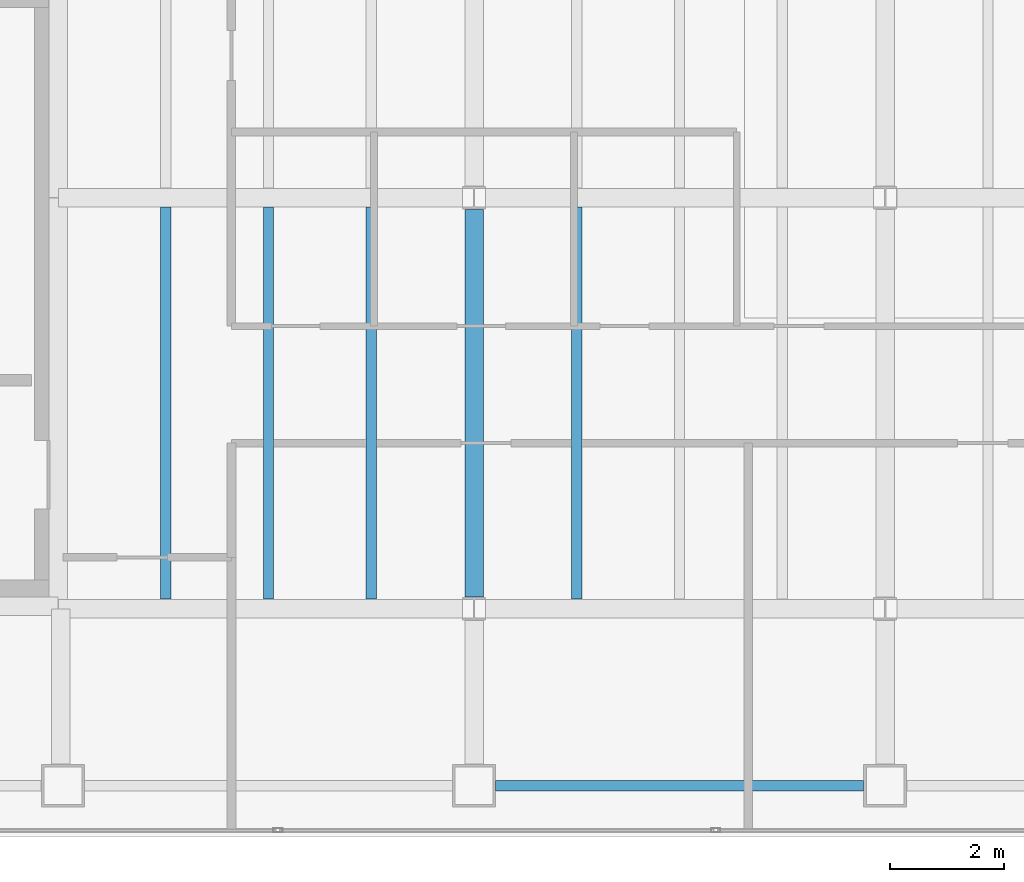
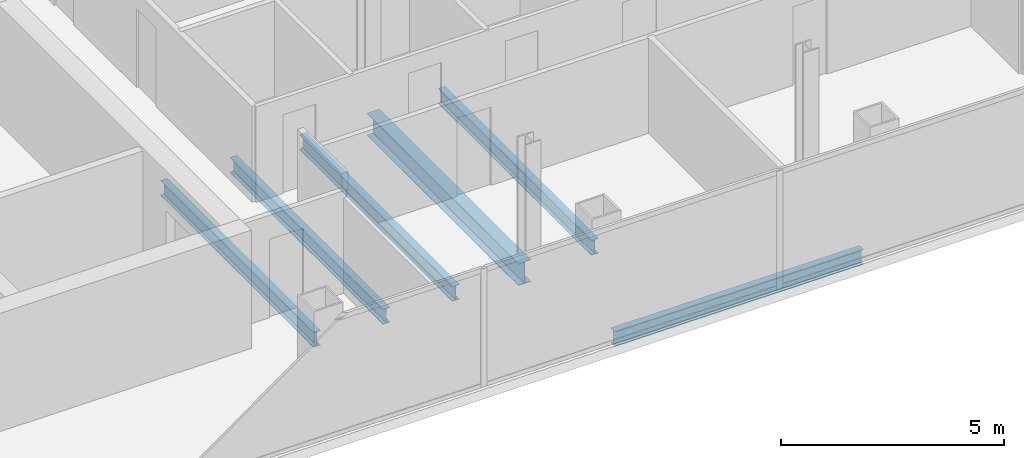
# One storey, part 5 of 23: 6 beams.
"""IFC4 building model written with IfcOpenShell, lengths in metres."""

from ifc_helpers import new_model, si_unit, direction, frame, origin, origin_2d, place, context, subcontext, project, spatial, i_section, extrude, material, material_profile, profile_set, type_object, element, save


model = new_model("IFC4")

# Units and contexts
model_context = context("Model", 3, precision=1e-05, world=origin(), true_north=direction((0.0, 1.0)))
body_context = subcontext(model_context, "Body", "Model", "MODEL_VIEW")
ifc_project = project(units=[si_unit("LENGTHUNIT", "METRE"), si_unit("AREAUNIT", "SQUARE_METRE"), si_unit("VOLUMEUNIT", "CUBIC_METRE"), si_unit("PLANEANGLEUNIT", "RADIAN"), si_unit("MASSUNIT", "GRAM", prefix="KILO")], contexts=[model_context])

# Site, building, storey
site_placement = place(None, origin())
site = spatial("IfcSite", under=ifc_project, at=site_placement, CompositionType="ELEMENT")
building_placement = place(site_placement, origin())
building = spatial("IfcBuilding", under=site, at=building_placement, Name="Cobrela Telecom Tower", CompositionType="ELEMENT")
storey_placement = place(building_placement, frame((0.0, 0.0, 225.75)))
storey = spatial("IfcBuildingStorey", under=building, at=storey_placement, Name="L58", CompositionType="ELEMENT", Elevation=225.75)

# Beams
ifc_material = material(Name="Steel ASTM A992 Grade 50", Category="steel")
ifc_material_profile_1 = material_profile(ifc_material, i_section(OverallWidth=0.324951171875, OverallDepth=0.612060546875, WebThickness=0.0126953125, FlangeThickness=0.01904296875, FilletRadius=0.014892578125, at=origin_2d()), Name="W24X104")
ifc_profile_set_1 = profile_set([ifc_material_profile_1], Name="Steel ASTM A992 Grade 50")
beam_type_1 = type_object("IfcBeamType", Name="BM-GIRD-07", PredefinedType="USERDEFINED", material=ifc_profile_set_1)
beam_1_placement = place(storey_placement, frame((21.60009765625, 7.404541015625, -0.56591796875), z_axis=(0.0, 1.0, 0.0), x_axis=(-1.0, 0.0, 0.0)))
element("IfcBeam", 1, at=beam_1_placement, inside=storey, type_object=beam_type_1, Name="L58 Primary Girder Y33", ObjectType="GIRDER", PredefinedType="USERDEFINED", context=body_context, shape_type="SweptSolid", body=[
    extrude(i_section(OverallWidth=0.324951171875, OverallDepth=0.612060546875, WebThickness=0.0126953125, FlangeThickness=0.01904296875, FilletRadius=0.014892578125, at=origin_2d()), origin(), (0.0, 0.0, 1.0), 6.791015625),
])
ifc_material_profile_2 = material_profile(ifc_material, i_section(OverallWidth=0.179931640625, OverallDepth=0.4169921875, WebThickness=0.010986328125, FlangeThickness=0.01806640625, FilletRadius=0.011962890625, at=origin_2d()), Name="W16X57")
ifc_profile_set_2 = profile_set([ifc_material_profile_2], Name="Steel ASTM A992 Grade 50")
beam_type_2 = type_object("IfcBeamType", Name="BM-JOIST-04", PredefinedType="JOIST", material=ifc_profile_set_2)
for number, where, z_axis, x_axis, name in (
    (2, (16.199951171875, 7.367431640625, -0.468505859375), (0.0, 1.0, 0.0), (-1.0, 0.0, 0.0), "L58 Secondary Composite Floor Beam J01"),
    (3, (18.0, 7.367431640625, -0.468505859375), (0.0, 1.0, 0.0), (-1.0, 0.0, 0.0), "L58 Secondary Composite Floor Beam J05"),
    (4, (19.800048828125, 7.367431640625, -0.468505859375), (0.0, 1.0, 0.0), (-1.0, 0.0, 0.0), "L58 Secondary Composite Floor Beam J09"),
    (5, (23.39990234375, 7.367431640625, -0.468505859375), (0.0, 1.0, 0.0), (-1.0, 0.0, 0.0), "L58 Secondary Composite Floor Beam J13"),
):
    element("IfcBeam", number, at=place(storey_placement, frame(where, z_axis=z_axis, x_axis=x_axis)), inside=storey, type_object=beam_type_2, Name=name, PredefinedType="JOIST", context=body_context, shape_type="SweptSolid", body=[
        extrude(i_section(OverallWidth=0.179931640625, OverallDepth=0.4169921875, WebThickness=0.010986328125, FlangeThickness=0.01806640625, FilletRadius=0.011962890625, at=origin_2d()), origin(), (0.0, 0.0, 1.0), 6.864990234375),
    ])
ifc_material_profile_3 = material_profile(ifc_material, i_section(OverallWidth=0.179931640625, OverallDepth=0.4169921875, WebThickness=0.010986328125, FlangeThickness=0.01806640625, FilletRadius=0.011962890625, at=origin_2d()), Name="W16X57")
ifc_profile_set_3 = profile_set([ifc_material_profile_3], Name="Steel ASTM A992 Grade 50")
beam_type_3 = type_object("IfcBeamType", Name="BM-SPAND-06", PredefinedType="SPANDREL", material=ifc_profile_set_3)
beam_2_placement = place(storey_placement, frame((21.97998046875, 4.10009765625, -0.468505859375), z_axis=(1.0, 0.0, 0.0), x_axis=(0.0, 1.0, 0.0)))
element("IfcBeam", 6, at=beam_2_placement, inside=storey, type_object=beam_type_3, Name="L58 Perimeter Spandrel X03", PredefinedType="SPANDREL", context=body_context, shape_type="SweptSolid", body=[
    extrude(i_section(OverallWidth=0.179931640625, OverallDepth=0.4169921875, WebThickness=0.010986328125, FlangeThickness=0.01806640625, FilletRadius=0.011962890625, at=origin_2d()), origin(), (0.0, 0.0, 1.0), 6.43994140625),
])

save(model, "model.ifc")
